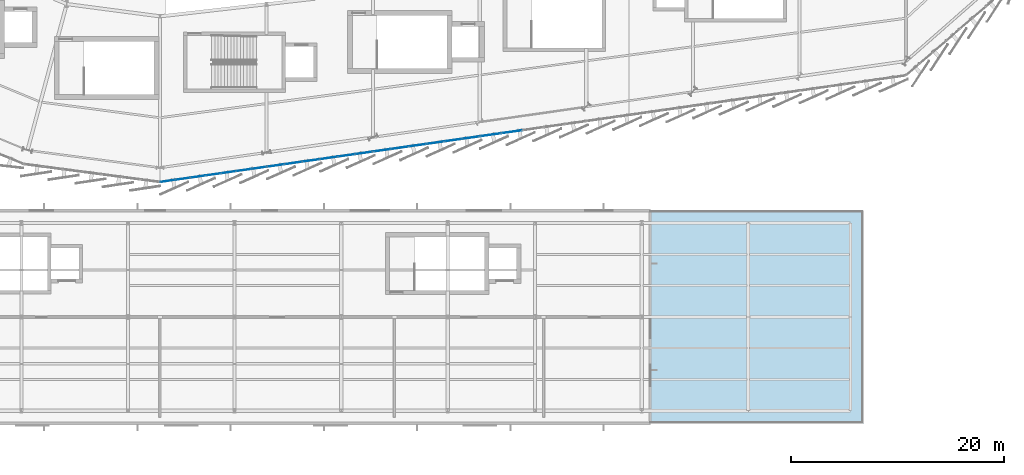
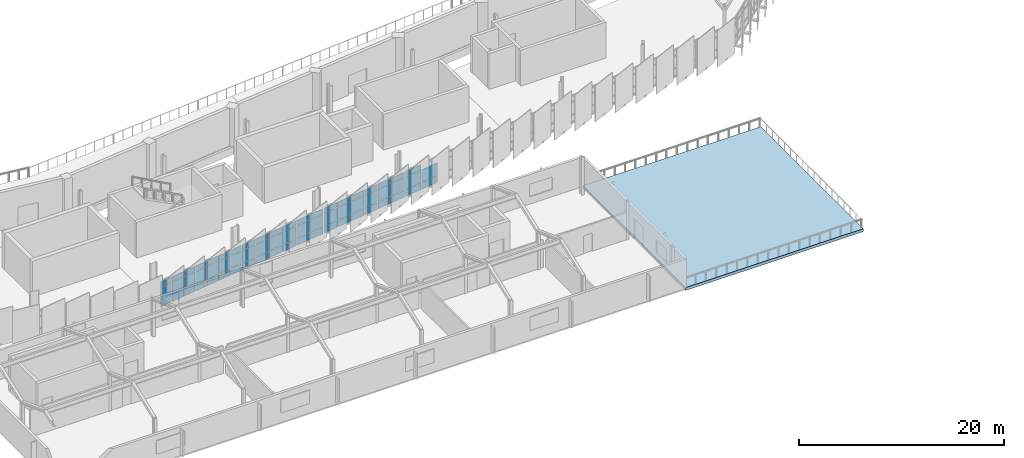
# One storey, part 61 of 87: 62 plates, 1 slab, 4 elements without a shape of their own.
"""IFC4 building model written with IfcOpenShell, lengths in metres."""

from ifc_helpers import new_model, si_unit, direction, frame, origin, origin_2d, place, context, subcontext, project, spatial, polyline, rectangle, outline, extrude, material, layer, layer_set, type_object, element, aggregate, save


model = new_model("IFC4")

# Units and contexts
model_context = context("Model", 3, precision=1e-05, world=origin(), true_north=direction((0.0, 1.0)))
body_context = subcontext(model_context, "Body", "Model", "MODEL_VIEW")
ifc_project = project(units=[si_unit("LENGTHUNIT", "METRE"), si_unit("AREAUNIT", "SQUARE_METRE"), si_unit("VOLUMEUNIT", "CUBIC_METRE"), si_unit("PLANEANGLEUNIT", "RADIAN"), si_unit("MASSUNIT", "GRAM", prefix="KILO")], contexts=[model_context])

# Site, building, storey
site_placement = place(None, origin())
site = spatial("IfcSite", under=ifc_project, at=site_placement, CompositionType="ELEMENT")
building_placement = place(site_placement, origin())
building = spatial("IfcBuilding", under=site, at=building_placement, Name="Sohan Crest Arena", CompositionType="ELEMENT")
storey_placement = place(building_placement, frame((0.0, 0.0, 18.0)))
storey = spatial("IfcBuildingStorey", under=building, at=storey_placement, Name="L04", CompositionType="ELEMENT", Elevation=18.0)

# Curtain wall, plates
ifc_material_1 = material(Name="Thermally broken anodised aluminium", Category="aluminium")
ifc_layer_1 = layer(ifc_material_1, 0.179931640625, Name="Thermally broken anodised aluminium")
ifc_layer_set_1 = layer_set([ifc_layer_1], Name="Thermally broken anodised aluminium")
curtain_wall_type_1 = type_object("IfcCurtainWallType", Name="ARC-CW01", PredefinedType="NOTDEFINED", material=ifc_layer_set_1)
curtain_wall_1_placement = place(storey_placement, origin())
curtain_wall_1 = element("IfcCurtainWall", 1, at=curtain_wall_1_placement, inside=storey, type_object=curtain_wall_type_1, Name="Unitised curtain wall CW-124", PredefinedType="NOTDEFINED")
ifc_material_2 = material(Name="Low-E double-glazed insulated glass", Category="glass")
ifc_layer_2 = layer(ifc_material_2, 0.028076171875, Name="Low-E double-glazed insulated glass")
ifc_layer_set_2 = layer_set([ifc_layer_2], Name="Low-E double-glazed insulated glass")
plate_type_1 = type_object("IfcPlateType", Name="ARC-CNP01", PredefinedType="CURTAIN_PANEL", material=ifc_layer_set_2)
plate_1_placement = place(storey_placement, frame((98.729248046875, 28.754150390625, 0.06005859375), z_axis=(0.0, 0.0, 1.0), x_axis=(0.989943553128, 0.141462933734, 0.0)))
plate_1 = element("IfcPlate", 2, at=plate_1_placement, type_object=plate_type_1, Name="CW-124 panel 1.1", PredefinedType="CURTAIN_PANEL", context=body_context, shape_type="SweptSolid", body=[
    extrude(rectangle(XDim=1.35302734375, YDim=0.028076171875, at=origin_2d()), origin(), (0.0, 0.0, 1.0), 0.81005859375),
])
plate_2_placement = place(storey_placement, frame((98.729248046875, 28.754150390625, 0.929931640625), z_axis=(0.0, 0.0, 1.0), x_axis=(0.989943553128, 0.141462933734, 0.0)))
plate_2 = element("IfcPlate", 3, at=plate_2_placement, type_object=plate_type_1, Name="CW-124 panel 1.2", PredefinedType="CURTAIN_PANEL", context=body_context, shape_type="SweptSolid", body=[
    extrude(rectangle(XDim=1.35302734375, YDim=0.028076171875, at=origin_2d()), origin(), (0.0, 0.0, 1.0), 1.4599609375),
])
plate_3_placement = place(storey_placement, frame((98.729248046875, 28.754150390625, 2.44970703125), z_axis=(0.0, 0.0, 1.0), x_axis=(0.989943553128, 0.141462933734, 0.0)))
plate_3 = element("IfcPlate", 4, at=plate_3_placement, type_object=plate_type_1, Name="CW-124 panel 1.3", PredefinedType="CURTAIN_PANEL", context=body_context, shape_type="SweptSolid", body=[
    extrude(rectangle(XDim=1.35302734375, YDim=0.028076171875, at=origin_2d()), origin(), (0.0, 0.0, 1.0), 0.610107421875),
])
plate_4_placement = place(storey_placement, frame((100.142822265625, 28.956298828125, 0.06005859375), z_axis=(0.0, 0.0, 1.0), x_axis=(0.989943553128, 0.141462933734, 0.0)))
plate_4 = element("IfcPlate", 5, at=plate_4_placement, type_object=plate_type_1, Name="CW-124 panel 2.1", PredefinedType="CURTAIN_PANEL", context=body_context, shape_type="SweptSolid", body=[
    extrude(rectangle(XDim=1.383056640625, YDim=0.028076171875, at=origin_2d()), origin(), (0.0, 0.0, 1.0), 0.81005859375),
])
plate_5_placement = place(storey_placement, frame((100.142822265625, 28.956298828125, 0.929931640625), z_axis=(0.0, 0.0, 1.0), x_axis=(0.989943553128, 0.141462933734, 0.0)))
plate_5 = element("IfcPlate", 6, at=plate_5_placement, type_object=plate_type_1, Name="CW-124 panel 2.2", PredefinedType="CURTAIN_PANEL", context=body_context, shape_type="SweptSolid", body=[
    extrude(rectangle(XDim=1.383056640625, YDim=0.028076171875, at=origin_2d()), origin(), (0.0, 0.0, 1.0), 1.4599609375),
])
plate_6_placement = place(storey_placement, frame((100.142822265625, 28.956298828125, 2.44970703125), z_axis=(0.0, 0.0, 1.0), x_axis=(0.989943553128, 0.141462933734, 0.0)))
plate_6 = element("IfcPlate", 7, at=plate_6_placement, type_object=plate_type_1, Name="CW-124 panel 2.3", PredefinedType="CURTAIN_PANEL", context=body_context, shape_type="SweptSolid", body=[
    extrude(rectangle(XDim=1.383056640625, YDim=0.028076171875, at=origin_2d()), origin(), (0.0, 0.0, 1.0), 0.610107421875),
])
plate_7_placement = place(storey_placement, frame((101.571533203125, 29.160400390625, 0.06005859375), z_axis=(0.0, 0.0, 1.0), x_axis=(0.989943553128, 0.141462933734, 0.0)))
plate_7 = element("IfcPlate", 8, at=plate_7_placement, type_object=plate_type_1, Name="CW-124 panel 3.1", PredefinedType="CURTAIN_PANEL", context=body_context, shape_type="SweptSolid", body=[
    extrude(rectangle(XDim=1.383056640625, YDim=0.028076171875, at=origin_2d()), origin(), (0.0, 0.0, 1.0), 0.81005859375),
])
plate_8_placement = place(storey_placement, frame((101.571533203125, 29.160400390625, 0.929931640625), z_axis=(0.0, 0.0, 1.0), x_axis=(0.989943553128, 0.141462933734, 0.0)))
plate_8 = element("IfcPlate", 9, at=plate_8_placement, type_object=plate_type_1, Name="CW-124 panel 3.2", PredefinedType="CURTAIN_PANEL", context=body_context, shape_type="SweptSolid", body=[
    extrude(rectangle(XDim=1.383056640625, YDim=0.028076171875, at=origin_2d()), origin(), (0.0, 0.0, 1.0), 1.4599609375),
])
plate_9_placement = place(storey_placement, frame((101.571533203125, 29.160400390625, 2.44970703125), z_axis=(0.0, 0.0, 1.0), x_axis=(0.989943553128, 0.141462933734, 0.0)))
plate_9 = element("IfcPlate", 10, at=plate_9_placement, type_object=plate_type_1, Name="CW-124 panel 3.3", PredefinedType="CURTAIN_PANEL", context=body_context, shape_type="SweptSolid", body=[
    extrude(rectangle(XDim=1.383056640625, YDim=0.028076171875, at=origin_2d()), origin(), (0.0, 0.0, 1.0), 0.610107421875),
])
plate_10_placement = place(storey_placement, frame((103.0, 29.364501953125, 0.06005859375), z_axis=(0.0, 0.0, 1.0), x_axis=(0.989943553128, 0.141462933734, 0.0)))
plate_10 = element("IfcPlate", 11, at=plate_10_placement, type_object=plate_type_1, Name="CW-124 panel 4.1", PredefinedType="CURTAIN_PANEL", context=body_context, shape_type="SweptSolid", body=[
    extrude(rectangle(XDim=1.383056640625, YDim=0.028076171875, at=origin_2d()), origin(), (0.0, 0.0, 1.0), 0.81005859375),
])
plate_11_placement = place(storey_placement, frame((103.0, 29.364501953125, 0.929931640625), z_axis=(0.0, 0.0, 1.0), x_axis=(0.989943553128, 0.141462933734, 0.0)))
plate_11 = element("IfcPlate", 12, at=plate_11_placement, type_object=plate_type_1, Name="CW-124 panel 4.2", PredefinedType="CURTAIN_PANEL", context=body_context, shape_type="SweptSolid", body=[
    extrude(rectangle(XDim=1.383056640625, YDim=0.028076171875, at=origin_2d()), origin(), (0.0, 0.0, 1.0), 1.4599609375),
])
plate_12_placement = place(storey_placement, frame((103.0, 29.364501953125, 2.44970703125), z_axis=(0.0, 0.0, 1.0), x_axis=(0.989943553128, 0.141462933734, 0.0)))
plate_12 = element("IfcPlate", 13, at=plate_12_placement, type_object=plate_type_1, Name="CW-124 panel 4.3", PredefinedType="CURTAIN_PANEL", context=body_context, shape_type="SweptSolid", body=[
    extrude(rectangle(XDim=1.383056640625, YDim=0.028076171875, at=origin_2d()), origin(), (0.0, 0.0, 1.0), 0.610107421875),
])
plate_13_placement = place(storey_placement, frame((104.428466796875, 29.568603515625, 0.06005859375), z_axis=(0.0, 0.0, 1.0), x_axis=(0.989943553128, 0.141462933734, 0.0)))
plate_13 = element("IfcPlate", 14, at=plate_13_placement, type_object=plate_type_1, Name="CW-124 panel 5.1", PredefinedType="CURTAIN_PANEL", context=body_context, shape_type="SweptSolid", body=[
    extrude(rectangle(XDim=1.383056640625, YDim=0.028076171875, at=origin_2d()), origin(), (0.0, 0.0, 1.0), 0.81005859375),
])
plate_14_placement = place(storey_placement, frame((104.428466796875, 29.568603515625, 0.929931640625), z_axis=(0.0, 0.0, 1.0), x_axis=(0.989943553128, 0.141462933734, 0.0)))
plate_14 = element("IfcPlate", 15, at=plate_14_placement, type_object=plate_type_1, Name="CW-124 panel 5.2", PredefinedType="CURTAIN_PANEL", context=body_context, shape_type="SweptSolid", body=[
    extrude(rectangle(XDim=1.383056640625, YDim=0.028076171875, at=origin_2d()), origin(), (0.0, 0.0, 1.0), 1.4599609375),
])
plate_15_placement = place(storey_placement, frame((104.428466796875, 29.568603515625, 2.44970703125), z_axis=(0.0, 0.0, 1.0), x_axis=(0.989943553128, 0.141462933734, 0.0)))
plate_15 = element("IfcPlate", 16, at=plate_15_placement, type_object=plate_type_1, Name="CW-124 panel 5.3", PredefinedType="CURTAIN_PANEL", context=body_context, shape_type="SweptSolid", body=[
    extrude(rectangle(XDim=1.383056640625, YDim=0.028076171875, at=origin_2d()), origin(), (0.0, 0.0, 1.0), 0.610107421875),
])
plate_16_placement = place(storey_placement, frame((105.857177734375, 29.772705078125, 0.06005859375), z_axis=(0.0, 0.0, 1.0), x_axis=(0.989943553128, 0.141462933734, 0.0)))
plate_16 = element("IfcPlate", 17, at=plate_16_placement, type_object=plate_type_1, Name="CW-124 panel 6.1", PredefinedType="CURTAIN_PANEL", context=body_context, shape_type="SweptSolid", body=[
    extrude(rectangle(XDim=1.383056640625, YDim=0.028076171875, at=origin_2d()), origin(), (0.0, 0.0, 1.0), 0.81005859375),
])
plate_17_placement = place(storey_placement, frame((105.857177734375, 29.772705078125, 0.929931640625), z_axis=(0.0, 0.0, 1.0), x_axis=(0.989943553128, 0.141462933734, 0.0)))
plate_17 = element("IfcPlate", 18, at=plate_17_placement, type_object=plate_type_1, Name="CW-124 panel 6.2", PredefinedType="CURTAIN_PANEL", context=body_context, shape_type="SweptSolid", body=[
    extrude(rectangle(XDim=1.383056640625, YDim=0.028076171875, at=origin_2d()), origin(), (0.0, 0.0, 1.0), 1.4599609375),
])
plate_18_placement = place(storey_placement, frame((105.857177734375, 29.772705078125, 2.44970703125), z_axis=(0.0, 0.0, 1.0), x_axis=(0.989943553128, 0.141462933734, 0.0)))
plate_18 = element("IfcPlate", 19, at=plate_18_placement, type_object=plate_type_1, Name="CW-124 panel 6.3", PredefinedType="CURTAIN_PANEL", context=body_context, shape_type="SweptSolid", body=[
    extrude(rectangle(XDim=1.383056640625, YDim=0.028076171875, at=origin_2d()), origin(), (0.0, 0.0, 1.0), 0.610107421875),
])
plate_19_placement = place(storey_placement, frame((107.270751953125, 29.974853515625, 0.06005859375), z_axis=(0.0, 0.0, 1.0), x_axis=(0.989943553128, 0.141462933734, 0.0)))
plate_19 = element("IfcPlate", 20, at=plate_19_placement, type_object=plate_type_1, Name="CW-124 panel 7.1", PredefinedType="CURTAIN_PANEL", context=body_context, shape_type="SweptSolid", body=[
    extrude(rectangle(XDim=1.35302734375, YDim=0.028076171875, at=origin_2d()), origin(), (0.0, 0.0, 1.0), 0.81005859375),
])
plate_20_placement = place(storey_placement, frame((107.270751953125, 29.974853515625, 0.929931640625), z_axis=(0.0, 0.0, 1.0), x_axis=(0.989943553128, 0.141462933734, 0.0)))
plate_20 = element("IfcPlate", 21, at=plate_20_placement, type_object=plate_type_1, Name="CW-124 panel 7.2", PredefinedType="CURTAIN_PANEL", context=body_context, shape_type="SweptSolid", body=[
    extrude(rectangle(XDim=1.35302734375, YDim=0.028076171875, at=origin_2d()), origin(), (0.0, 0.0, 1.0), 1.4599609375),
])
plate_21_placement = place(storey_placement, frame((107.270751953125, 29.974853515625, 2.44970703125), z_axis=(0.0, 0.0, 1.0), x_axis=(0.989943553128, 0.141462933734, 0.0)))
plate_21 = element("IfcPlate", 22, at=plate_21_placement, type_object=plate_type_1, Name="CW-124 panel 7.3", PredefinedType="CURTAIN_PANEL", context=body_context, shape_type="SweptSolid", body=[
    extrude(rectangle(XDim=1.35302734375, YDim=0.028076171875, at=origin_2d()), origin(), (0.0, 0.0, 1.0), 0.610107421875),
])
aggregate(curtain_wall_1, [plate_1, plate_2, plate_3, plate_4, plate_5, plate_6, plate_7, plate_8, plate_9, plate_10, plate_11, plate_12, plate_13, plate_14, plate_15, plate_16, plate_17, plate_18, plate_19, plate_20, plate_21])

ifc_layer_3 = layer(ifc_material_1, 0.199951171875, Name="Thermally broken anodised aluminium")
ifc_layer_set_3 = layer_set([ifc_layer_3], Name="Thermally broken anodised aluminium")
curtain_wall_type_2 = type_object("IfcCurtainWallType", Name="ARC-CW02", PredefinedType="NOTDEFINED", material=ifc_layer_set_3)
curtain_wall_2_placement = place(storey_placement, origin())
curtain_wall_2 = element("IfcCurtainWall", 23, at=curtain_wall_2_placement, inside=storey, type_object=curtain_wall_type_2, Name="Unitised curtain wall CW-125", PredefinedType="NOTDEFINED")
ifc_layer_4 = layer(ifc_material_2, 0.031982421875, Name="Low-E double-glazed insulated glass")
ifc_layer_set_4 = layer_set([ifc_layer_4], Name="Low-E double-glazed insulated glass")
plate_type_2 = type_object("IfcPlateType", Name="ARC-CNP02", PredefinedType="CURTAIN_PANEL", material=ifc_layer_set_4)
plate_22_placement = place(storey_placement, frame((108.849365234375, 30.2001953125, 0.06494140625), z_axis=(0.0, 0.0, 1.0), x_axis=(0.989957411768, 0.141365918403, 0.0)))
plate_22 = element("IfcPlate", 24, at=plate_22_placement, type_object=plate_type_2, Name="CW-125 panel 1.1", PredefinedType="CURTAIN_PANEL", context=body_context, shape_type="SweptSolid", body=[
    extrude(rectangle(XDim=1.586181640625, YDim=0.031982421875, at=origin_2d()), origin(), (0.0, 0.0, 1.0), 0.802490234375),
])
plate_23_placement = place(storey_placement, frame((108.849365234375, 30.2001953125, 0.932373046875), z_axis=(0.0, 0.0, 1.0), x_axis=(0.989957411768, 0.141365918403, 0.0)))
plate_23 = element("IfcPlate", 25, at=plate_23_placement, type_object=plate_type_2, Name="CW-125 panel 1.2", PredefinedType="CURTAIN_PANEL", context=body_context, shape_type="SweptSolid", body=[
    extrude(rectangle(XDim=1.586181640625, YDim=0.031982421875, at=origin_2d()), origin(), (0.0, 0.0, 1.0), 1.455078125),
])
plate_24_placement = place(storey_placement, frame((108.849365234375, 30.2001953125, 2.452392578125), z_axis=(0.0, 0.0, 1.0), x_axis=(0.989957411768, 0.141365918403, 0.0)))
plate_24 = element("IfcPlate", 26, at=plate_24_placement, type_object=plate_type_2, Name="CW-125 panel 1.3", PredefinedType="CURTAIN_PANEL", context=body_context, shape_type="SweptSolid", body=[
    extrude(rectangle(XDim=1.586181640625, YDim=0.031982421875, at=origin_2d()), origin(), (0.0, 0.0, 1.0), 0.6025390625),
])
plate_25_placement = place(storey_placement, frame((110.5, 30.43603515625, 0.06494140625), z_axis=(0.0, 0.0, 1.0), x_axis=(0.989957411768, 0.141365918403, 0.0)))
plate_25 = element("IfcPlate", 27, at=plate_25_placement, type_object=plate_type_2, Name="CW-125 panel 2.1", PredefinedType="CURTAIN_PANEL", context=body_context, shape_type="SweptSolid", body=[
    extrude(rectangle(XDim=1.61865234375, YDim=0.031982421875, at=origin_2d()), origin(), (0.0, 0.0, 1.0), 0.802490234375),
])
plate_26_placement = place(storey_placement, frame((110.5, 30.43603515625, 0.932373046875), z_axis=(0.0, 0.0, 1.0), x_axis=(0.989957411768, 0.141365918403, 0.0)))
plate_26 = element("IfcPlate", 28, at=plate_26_placement, type_object=plate_type_2, Name="CW-125 panel 2.2", PredefinedType="CURTAIN_PANEL", context=body_context, shape_type="SweptSolid", body=[
    extrude(rectangle(XDim=1.61865234375, YDim=0.031982421875, at=origin_2d()), origin(), (0.0, 0.0, 1.0), 1.455078125),
])
plate_27_placement = place(storey_placement, frame((110.5, 30.43603515625, 2.452392578125), z_axis=(0.0, 0.0, 1.0), x_axis=(0.989957411768, 0.141365918403, 0.0)))
plate_27 = element("IfcPlate", 29, at=plate_27_placement, type_object=plate_type_2, Name="CW-125 panel 2.3", PredefinedType="CURTAIN_PANEL", context=body_context, shape_type="SweptSolid", body=[
    extrude(rectangle(XDim=1.61865234375, YDim=0.031982421875, at=origin_2d()), origin(), (0.0, 0.0, 1.0), 0.6025390625),
])
plate_28_placement = place(storey_placement, frame((112.166748046875, 30.674072265625, 0.06494140625), z_axis=(0.0, 0.0, 1.0), x_axis=(0.989957411768, 0.141365918403, 0.0)))
plate_28 = element("IfcPlate", 30, at=plate_28_placement, type_object=plate_type_2, Name="CW-125 panel 3.1", PredefinedType="CURTAIN_PANEL", context=body_context, shape_type="SweptSolid", body=[
    extrude(rectangle(XDim=1.61865234375, YDim=0.031982421875, at=origin_2d()), origin(), (0.0, 0.0, 1.0), 0.802490234375),
])
plate_29_placement = place(storey_placement, frame((112.166748046875, 30.674072265625, 0.932373046875), z_axis=(0.0, 0.0, 1.0), x_axis=(0.989957411768, 0.141365918403, 0.0)))
plate_29 = element("IfcPlate", 31, at=plate_29_placement, type_object=plate_type_2, Name="CW-125 panel 3.2", PredefinedType="CURTAIN_PANEL", context=body_context, shape_type="SweptSolid", body=[
    extrude(rectangle(XDim=1.61865234375, YDim=0.031982421875, at=origin_2d()), origin(), (0.0, 0.0, 1.0), 1.455078125),
])
plate_30_placement = place(storey_placement, frame((112.166748046875, 30.674072265625, 2.452392578125), z_axis=(0.0, 0.0, 1.0), x_axis=(0.989957411768, 0.141365918403, 0.0)))
plate_30 = element("IfcPlate", 32, at=plate_30_placement, type_object=plate_type_2, Name="CW-125 panel 3.3", PredefinedType="CURTAIN_PANEL", context=body_context, shape_type="SweptSolid", body=[
    extrude(rectangle(XDim=1.61865234375, YDim=0.031982421875, at=origin_2d()), origin(), (0.0, 0.0, 1.0), 0.6025390625),
])
plate_31_placement = place(storey_placement, frame((113.833251953125, 30.912109375, 0.06494140625), z_axis=(0.0, 0.0, 1.0), x_axis=(0.989957411768, 0.141365918403, 0.0)))
plate_31 = element("IfcPlate", 33, at=plate_31_placement, type_object=plate_type_2, Name="CW-125 panel 4.1", PredefinedType="CURTAIN_PANEL", context=body_context, shape_type="SweptSolid", body=[
    extrude(rectangle(XDim=1.61865234375, YDim=0.031982421875, at=origin_2d()), origin(), (0.0, 0.0, 1.0), 0.802490234375),
])
plate_32_placement = place(storey_placement, frame((113.833251953125, 30.912109375, 0.932373046875), z_axis=(0.0, 0.0, 1.0), x_axis=(0.989957411768, 0.141365918403, 0.0)))
plate_32 = element("IfcPlate", 34, at=plate_32_placement, type_object=plate_type_2, Name="CW-125 panel 4.2", PredefinedType="CURTAIN_PANEL", context=body_context, shape_type="SweptSolid", body=[
    extrude(rectangle(XDim=1.61865234375, YDim=0.031982421875, at=origin_2d()), origin(), (0.0, 0.0, 1.0), 1.455078125),
])
plate_33_placement = place(storey_placement, frame((113.833251953125, 30.912109375, 2.452392578125), z_axis=(0.0, 0.0, 1.0), x_axis=(0.989957411768, 0.141365918403, 0.0)))
plate_33 = element("IfcPlate", 35, at=plate_33_placement, type_object=plate_type_2, Name="CW-125 panel 4.3", PredefinedType="CURTAIN_PANEL", context=body_context, shape_type="SweptSolid", body=[
    extrude(rectangle(XDim=1.61865234375, YDim=0.031982421875, at=origin_2d()), origin(), (0.0, 0.0, 1.0), 0.6025390625),
])
plate_34_placement = place(storey_placement, frame((115.5, 31.14990234375, 0.06494140625), z_axis=(0.0, 0.0, 1.0), x_axis=(0.989957411768, 0.141365918403, 0.0)))
plate_34 = element("IfcPlate", 36, at=plate_34_placement, type_object=plate_type_2, Name="CW-125 panel 5.1", PredefinedType="CURTAIN_PANEL", context=body_context, shape_type="SweptSolid", body=[
    extrude(rectangle(XDim=1.61865234375, YDim=0.031982421875, at=origin_2d()), origin(), (0.0, 0.0, 1.0), 0.802490234375),
])
plate_35_placement = place(storey_placement, frame((115.5, 31.14990234375, 0.932373046875), z_axis=(0.0, 0.0, 1.0), x_axis=(0.989957411768, 0.141365918403, 0.0)))
plate_35 = element("IfcPlate", 37, at=plate_35_placement, type_object=plate_type_2, Name="CW-125 panel 5.2", PredefinedType="CURTAIN_PANEL", context=body_context, shape_type="SweptSolid", body=[
    extrude(rectangle(XDim=1.61865234375, YDim=0.031982421875, at=origin_2d()), origin(), (0.0, 0.0, 1.0), 1.455078125),
])
plate_36_placement = place(storey_placement, frame((115.5, 31.14990234375, 2.452392578125), z_axis=(0.0, 0.0, 1.0), x_axis=(0.989957411768, 0.141365918403, 0.0)))
plate_36 = element("IfcPlate", 38, at=plate_36_placement, type_object=plate_type_2, Name="CW-125 panel 5.3", PredefinedType="CURTAIN_PANEL", context=body_context, shape_type="SweptSolid", body=[
    extrude(rectangle(XDim=1.61865234375, YDim=0.031982421875, at=origin_2d()), origin(), (0.0, 0.0, 1.0), 0.6025390625),
])
plate_37_placement = place(storey_placement, frame((117.150634765625, 31.3857421875, 0.06494140625), z_axis=(0.0, 0.0, 1.0), x_axis=(0.989957411768, 0.141365918403, 0.0)))
plate_37 = element("IfcPlate", 39, at=plate_37_placement, type_object=plate_type_2, Name="CW-125 panel 6.1", PredefinedType="CURTAIN_PANEL", context=body_context, shape_type="SweptSolid", body=[
    extrude(rectangle(XDim=1.586181640625, YDim=0.031982421875, at=origin_2d()), origin(), (0.0, 0.0, 1.0), 0.802490234375),
])
plate_38_placement = place(storey_placement, frame((117.150634765625, 31.3857421875, 0.932373046875), z_axis=(0.0, 0.0, 1.0), x_axis=(0.989957411768, 0.141365918403, 0.0)))
plate_38 = element("IfcPlate", 40, at=plate_38_placement, type_object=plate_type_2, Name="CW-125 panel 6.2", PredefinedType="CURTAIN_PANEL", context=body_context, shape_type="SweptSolid", body=[
    extrude(rectangle(XDim=1.586181640625, YDim=0.031982421875, at=origin_2d()), origin(), (0.0, 0.0, 1.0), 1.455078125),
])
plate_39_placement = place(storey_placement, frame((117.150634765625, 31.3857421875, 2.452392578125), z_axis=(0.0, 0.0, 1.0), x_axis=(0.989957411768, 0.141365918403, 0.0)))
plate_39 = element("IfcPlate", 41, at=plate_39_placement, type_object=plate_type_2, Name="CW-125 panel 6.3", PredefinedType="CURTAIN_PANEL", context=body_context, shape_type="SweptSolid", body=[
    extrude(rectangle(XDim=1.586181640625, YDim=0.031982421875, at=origin_2d()), origin(), (0.0, 0.0, 1.0), 0.6025390625),
])
aggregate(curtain_wall_2, [plate_22, plate_23, plate_24, plate_25, plate_26, plate_27, plate_28, plate_29, plate_30, plate_31, plate_32, plate_33, plate_34, plate_35, plate_36, plate_37, plate_38, plate_39])

ifc_layer_5 = layer(ifc_material_1, 0.219970703125, Name="Thermally broken anodised aluminium")
ifc_layer_set_5 = layer_set([ifc_layer_5], Name="Thermally broken anodised aluminium")
curtain_wall_type_3 = type_object("IfcCurtainWallType", Name="ARC-CW03", PredefinedType="NOTDEFINED", material=ifc_layer_set_5)
curtain_wall_3_placement = place(storey_placement, origin())
curtain_wall_3 = element("IfcCurtainWall", 42, at=curtain_wall_3_placement, inside=storey, type_object=curtain_wall_type_3, Name="Unitised curtain wall CW-126", PredefinedType="NOTDEFINED")
ifc_material_3 = material(Name="Ceramic-fritted solar-control insulated glass", Category="glass")
ifc_layer_6 = layer(ifc_material_3, 0.035888671875, Name="Ceramic-fritted solar-control insulated glass")
ifc_layer_set_6 = layer_set([ifc_layer_6], Name="Ceramic-fritted solar-control insulated glass")
plate_type_3 = type_object("IfcPlateType", Name="ARC-CNP03", PredefinedType="CURTAIN_PANEL", material=ifc_layer_set_6)
plate_40_placement = place(storey_placement, frame((118.8505859375, 31.628662109375, 0.070068359375), z_axis=(0.0, 0.0, 1.0), x_axis=(0.989943553128, 0.141462933734, 0.0)))
plate_40 = element("IfcPlate", 43, at=plate_40_placement, type_object=plate_type_3, Name="CW-126 panel 1.1", PredefinedType="CURTAIN_PANEL", context=body_context, shape_type="SweptSolid", body=[
    extrude(rectangle(XDim=1.57861328125, YDim=0.035888671875, at=origin_2d()), origin(), (0.0, 0.0, 1.0), 0.794921875),
])
plate_41_placement = place(storey_placement, frame((118.8505859375, 31.628662109375, 0.93505859375), z_axis=(0.0, 0.0, 1.0), x_axis=(0.989943553128, 0.141462933734, 0.0)))
plate_41 = element("IfcPlate", 44, at=plate_41_placement, type_object=plate_type_3, Name="CW-126 panel 1.2", PredefinedType="CURTAIN_PANEL", context=body_context, shape_type="SweptSolid", body=[
    extrude(rectangle(XDim=1.57861328125, YDim=0.035888671875, at=origin_2d()), origin(), (0.0, 0.0, 1.0), 1.449951171875),
])
plate_42_placement = place(storey_placement, frame((118.8505859375, 31.628662109375, 2.455078125), z_axis=(0.0, 0.0, 1.0), x_axis=(0.989943553128, 0.141462933734, 0.0)))
plate_42 = element("IfcPlate", 45, at=plate_42_placement, type_object=plate_type_3, Name="CW-126 panel 1.3", PredefinedType="CURTAIN_PANEL", context=body_context, shape_type="SweptSolid", body=[
    extrude(rectangle(XDim=1.57861328125, YDim=0.035888671875, at=origin_2d()), origin(), (0.0, 0.0, 1.0), 0.594970703125),
])
plate_43_placement = place(storey_placement, frame((120.5, 31.8642578125, 0.070068359375), z_axis=(0.0, 0.0, 1.0), x_axis=(0.989943553128, 0.141462933734, 0.0)))
plate_43 = element("IfcPlate", 46, at=plate_43_placement, type_object=plate_type_3, Name="CW-126 panel 2.1", PredefinedType="CURTAIN_PANEL", context=body_context, shape_type="SweptSolid", body=[
    extrude(rectangle(XDim=1.613525390625, YDim=0.035888671875, at=origin_2d()), origin(), (0.0, 0.0, 1.0), 0.794921875),
])
plate_44_placement = place(storey_placement, frame((120.5, 31.8642578125, 0.93505859375), z_axis=(0.0, 0.0, 1.0), x_axis=(0.989943553128, 0.141462933734, 0.0)))
plate_44 = element("IfcPlate", 47, at=plate_44_placement, type_object=plate_type_3, Name="CW-126 panel 2.2", PredefinedType="CURTAIN_PANEL", context=body_context, shape_type="SweptSolid", body=[
    extrude(rectangle(XDim=1.613525390625, YDim=0.035888671875, at=origin_2d()), origin(), (0.0, 0.0, 1.0), 1.449951171875),
])
plate_45_placement = place(storey_placement, frame((120.5, 31.8642578125, 2.455078125), z_axis=(0.0, 0.0, 1.0), x_axis=(0.989943553128, 0.141462933734, 0.0)))
plate_45 = element("IfcPlate", 48, at=plate_45_placement, type_object=plate_type_3, Name="CW-126 panel 2.3", PredefinedType="CURTAIN_PANEL", context=body_context, shape_type="SweptSolid", body=[
    extrude(rectangle(XDim=1.613525390625, YDim=0.035888671875, at=origin_2d()), origin(), (0.0, 0.0, 1.0), 0.594970703125),
])
plate_46_placement = place(storey_placement, frame((122.166748046875, 32.102294921875, 0.070068359375), z_axis=(0.0, 0.0, 1.0), x_axis=(0.989943553128, 0.141462933734, 0.0)))
plate_46 = element("IfcPlate", 49, at=plate_46_placement, type_object=plate_type_3, Name="CW-126 panel 3.1", PredefinedType="CURTAIN_PANEL", context=body_context, shape_type="SweptSolid", body=[
    extrude(rectangle(XDim=1.613525390625, YDim=0.035888671875, at=origin_2d()), origin(), (0.0, 0.0, 1.0), 0.794921875),
])
plate_47_placement = place(storey_placement, frame((122.166748046875, 32.102294921875, 0.93505859375), z_axis=(0.0, 0.0, 1.0), x_axis=(0.989943553128, 0.141462933734, 0.0)))
plate_47 = element("IfcPlate", 50, at=plate_47_placement, type_object=plate_type_3, Name="CW-126 panel 3.2", PredefinedType="CURTAIN_PANEL", context=body_context, shape_type="SweptSolid", body=[
    extrude(rectangle(XDim=1.613525390625, YDim=0.035888671875, at=origin_2d()), origin(), (0.0, 0.0, 1.0), 1.449951171875),
])
plate_48_placement = place(storey_placement, frame((122.166748046875, 32.102294921875, 2.455078125), z_axis=(0.0, 0.0, 1.0), x_axis=(0.989943553128, 0.141462933734, 0.0)))
plate_48 = element("IfcPlate", 51, at=plate_48_placement, type_object=plate_type_3, Name="CW-126 panel 3.3", PredefinedType="CURTAIN_PANEL", context=body_context, shape_type="SweptSolid", body=[
    extrude(rectangle(XDim=1.613525390625, YDim=0.035888671875, at=origin_2d()), origin(), (0.0, 0.0, 1.0), 0.594970703125),
])
plate_49_placement = place(storey_placement, frame((123.833251953125, 32.340576171875, 0.070068359375), z_axis=(0.0, 0.0, 1.0), x_axis=(0.989943553128, 0.141462933734, 0.0)))
plate_49 = element("IfcPlate", 52, at=plate_49_placement, type_object=plate_type_3, Name="CW-126 panel 4.1", PredefinedType="CURTAIN_PANEL", context=body_context, shape_type="SweptSolid", body=[
    extrude(rectangle(XDim=1.613525390625, YDim=0.035888671875, at=origin_2d()), origin(), (0.0, 0.0, 1.0), 0.794921875),
])
plate_50_placement = place(storey_placement, frame((123.833251953125, 32.340576171875, 0.93505859375), z_axis=(0.0, 0.0, 1.0), x_axis=(0.989943553128, 0.141462933734, 0.0)))
plate_50 = element("IfcPlate", 53, at=plate_50_placement, type_object=plate_type_3, Name="CW-126 panel 4.2", PredefinedType="CURTAIN_PANEL", context=body_context, shape_type="SweptSolid", body=[
    extrude(rectangle(XDim=1.613525390625, YDim=0.035888671875, at=origin_2d()), origin(), (0.0, 0.0, 1.0), 1.449951171875),
])
plate_51_placement = place(storey_placement, frame((123.833251953125, 32.340576171875, 2.455078125), z_axis=(0.0, 0.0, 1.0), x_axis=(0.989943553128, 0.141462933734, 0.0)))
plate_51 = element("IfcPlate", 54, at=plate_51_placement, type_object=plate_type_3, Name="CW-126 panel 4.3", PredefinedType="CURTAIN_PANEL", context=body_context, shape_type="SweptSolid", body=[
    extrude(rectangle(XDim=1.613525390625, YDim=0.035888671875, at=origin_2d()), origin(), (0.0, 0.0, 1.0), 0.594970703125),
])
plate_52_placement = place(storey_placement, frame((125.5, 32.578857421875, 0.070068359375), z_axis=(0.0, 0.0, 1.0), x_axis=(0.989943553128, 0.141462933734, 0.0)))
plate_52 = element("IfcPlate", 55, at=plate_52_placement, type_object=plate_type_3, Name="CW-126 panel 5.1", PredefinedType="CURTAIN_PANEL", context=body_context, shape_type="SweptSolid", body=[
    extrude(rectangle(XDim=1.613525390625, YDim=0.035888671875, at=origin_2d()), origin(), (0.0, 0.0, 1.0), 0.794921875),
])
plate_53_placement = place(storey_placement, frame((125.5, 32.578857421875, 0.93505859375), z_axis=(0.0, 0.0, 1.0), x_axis=(0.989943553128, 0.141462933734, 0.0)))
plate_53 = element("IfcPlate", 56, at=plate_53_placement, type_object=plate_type_3, Name="CW-126 panel 5.2", PredefinedType="CURTAIN_PANEL", context=body_context, shape_type="SweptSolid", body=[
    extrude(rectangle(XDim=1.613525390625, YDim=0.035888671875, at=origin_2d()), origin(), (0.0, 0.0, 1.0), 1.449951171875),
])
plate_54_placement = place(storey_placement, frame((125.5, 32.578857421875, 2.455078125), z_axis=(0.0, 0.0, 1.0), x_axis=(0.989943553128, 0.141462933734, 0.0)))
plate_54 = element("IfcPlate", 57, at=plate_54_placement, type_object=plate_type_3, Name="CW-126 panel 5.3", PredefinedType="CURTAIN_PANEL", context=body_context, shape_type="SweptSolid", body=[
    extrude(rectangle(XDim=1.613525390625, YDim=0.035888671875, at=origin_2d()), origin(), (0.0, 0.0, 1.0), 0.594970703125),
])
plate_55_placement = place(storey_placement, frame((127.1494140625, 32.814453125, 0.070068359375), z_axis=(0.0, 0.0, 1.0), x_axis=(0.989943553128, 0.141462933734, 0.0)))
plate_55 = element("IfcPlate", 58, at=plate_55_placement, type_object=plate_type_3, Name="CW-126 panel 6.1", PredefinedType="CURTAIN_PANEL", context=body_context, shape_type="SweptSolid", body=[
    extrude(rectangle(XDim=1.57861328125, YDim=0.035888671875, at=origin_2d()), origin(), (0.0, 0.0, 1.0), 0.794921875),
])
plate_56_placement = place(storey_placement, frame((127.1494140625, 32.814453125, 0.93505859375), z_axis=(0.0, 0.0, 1.0), x_axis=(0.989943553128, 0.141462933734, 0.0)))
plate_56 = element("IfcPlate", 59, at=plate_56_placement, type_object=plate_type_3, Name="CW-126 panel 6.2", PredefinedType="CURTAIN_PANEL", context=body_context, shape_type="SweptSolid", body=[
    extrude(rectangle(XDim=1.57861328125, YDim=0.035888671875, at=origin_2d()), origin(), (0.0, 0.0, 1.0), 1.449951171875),
])
plate_57_placement = place(storey_placement, frame((127.1494140625, 32.814453125, 2.455078125), z_axis=(0.0, 0.0, 1.0), x_axis=(0.989943553128, 0.141462933734, 0.0)))
plate_57 = element("IfcPlate", 60, at=plate_57_placement, type_object=plate_type_3, Name="CW-126 panel 6.3", PredefinedType="CURTAIN_PANEL", context=body_context, shape_type="SweptSolid", body=[
    extrude(rectangle(XDim=1.57861328125, YDim=0.035888671875, at=origin_2d()), origin(), (0.0, 0.0, 1.0), 0.594970703125),
])
aggregate(curtain_wall_3, [plate_40, plate_41, plate_42, plate_43, plate_44, plate_45, plate_46, plate_47, plate_48, plate_49, plate_50, plate_51, plate_52, plate_53, plate_54, plate_55, plate_56, plate_57])

ifc_layer_7 = layer(ifc_material_1, 0.239990234375, Name="Thermally broken anodised aluminium")
ifc_layer_set_7 = layer_set([ifc_layer_7], Name="Thermally broken anodised aluminium")
curtain_wall_type_4 = type_object("IfcCurtainWallType", Name="ARC-CW04", PredefinedType="NOTDEFINED", material=ifc_layer_set_7)
curtain_wall_4_placement = place(storey_placement, origin())
curtain_wall_4 = element("IfcCurtainWall", 61, at=curtain_wall_4_placement, inside=storey, type_object=curtain_wall_type_4, Name="Unitised curtain wall CW-127", PredefinedType="NOTDEFINED")
ifc_material_4 = material(Name="Insulated polychrome ceramic spandrel panel", Category="masonry")
ifc_layer_8 = layer(ifc_material_4, 0.0419921875, Name="Insulated polychrome ceramic spandrel panel")
ifc_layer_set_8 = layer_set([ifc_layer_8], Name="Insulated polychrome ceramic spandrel panel")
plate_type_4 = type_object("IfcPlateType", Name="ARC-CNP04", PredefinedType="CURTAIN_PANEL", material=ifc_layer_set_8)
plate_58_placement = place(storey_placement, frame((129.0185546875, 33.08154296875, 0.06005859375), z_axis=(0.0, 0.0, 1.0), x_axis=(0.989957411768, 0.141365918403, 0.0)))
plate_58 = element("IfcPlate", 62, at=plate_58_placement, type_object=plate_type_4, Name="CW-127 panel 1.1", PredefinedType="CURTAIN_PANEL", context=body_context, shape_type="SweptSolid", body=[
    extrude(rectangle(XDim=1.90771484375, YDim=0.0419921875, at=origin_2d()), origin(), (0.0, 0.0, 1.0), 0.81005859375),
])
plate_59_placement = place(storey_placement, frame((129.0185546875, 33.08154296875, 0.929931640625), z_axis=(0.0, 0.0, 1.0), x_axis=(0.989957411768, 0.141365918403, 0.0)))
plate_59 = element("IfcPlate", 63, at=plate_59_placement, type_object=plate_type_4, Name="CW-127 panel 1.2", PredefinedType="CURTAIN_PANEL", context=body_context, shape_type="SweptSolid", body=[
    extrude(rectangle(XDim=1.90771484375, YDim=0.0419921875, at=origin_2d()), origin(), (0.0, 0.0, 1.0), 1.4599609375),
])
plate_60_placement = place(storey_placement, frame((129.0185546875, 33.08154296875, 2.44970703125), z_axis=(0.0, 0.0, 1.0), x_axis=(0.989957411768, 0.141365918403, 0.0)))
plate_60 = element("IfcPlate", 64, at=plate_60_placement, type_object=plate_type_4, Name="CW-127 panel 1.3", PredefinedType="CURTAIN_PANEL", context=body_context, shape_type="SweptSolid", body=[
    extrude(rectangle(XDim=1.90771484375, YDim=0.0419921875, at=origin_2d()), origin(), (0.0, 0.0, 1.0), 0.610107421875),
])
plate_61_placement = place(storey_placement, frame((131.0, 33.364501953125, 0.06005859375), z_axis=(0.0, 0.0, 1.0), x_axis=(0.989957411768, 0.141365918403, 0.0)))
plate_61 = element("IfcPlate", 65, at=plate_61_placement, type_object=plate_type_4, Name="CW-127 panel 2.1", PredefinedType="CURTAIN_PANEL", context=body_context, shape_type="SweptSolid", body=[
    extrude(rectangle(XDim=1.9453125, YDim=0.0419921875, at=origin_2d()), origin(), (0.0, 0.0, 1.0), 0.81005859375),
])
plate_62_placement = place(storey_placement, frame((131.0, 33.364501953125, 0.929931640625), z_axis=(0.0, 0.0, 1.0), x_axis=(0.989957411768, 0.141365918403, 0.0)))
plate_62 = element("IfcPlate", 66, at=plate_62_placement, type_object=plate_type_4, Name="CW-127 panel 2.2", PredefinedType="CURTAIN_PANEL", context=body_context, shape_type="SweptSolid", body=[
    extrude(rectangle(XDim=1.9453125, YDim=0.0419921875, at=origin_2d()), origin(), (0.0, 0.0, 1.0), 1.4599609375),
])
aggregate(curtain_wall_4, [plate_58, plate_59, plate_60, plate_61, plate_62])

# Slab
ifc_material_5 = material(Name="Concrete C40/50", Category="concrete")
ifc_layer_9 = layer(ifc_material_5, 0.344970703125, Name="Concrete C40/50")
ifc_layer_set_9 = layer_set([ifc_layer_9], Name="Concrete C40/50")
slab_type = type_object("IfcSlabType", Name="SL-TER2", PredefinedType="FLOOR", material=ifc_layer_set_9)
slab_placement = place(storey_placement, frame((0.0, 0.0, -0.344970703125)))
element("IfcSlab", 67, at=slab_placement, inside=storey, type_object=slab_type, Name="BOH wing L04 east planted roof garden terrace SL-L04-V5TER", PredefinedType="FLOOR", context=body_context, shape_type="SweptSolid", body=[
    extrude(outline(polyline([(144.0, 6.0), (164.0, 6.0), (164.0, 26.0), (144.0, 26.0), (144.0, 6.0)])), origin(), (0.0, 0.0, 1.0), 0.344970703125),
])

save(model, "model.ifc")
